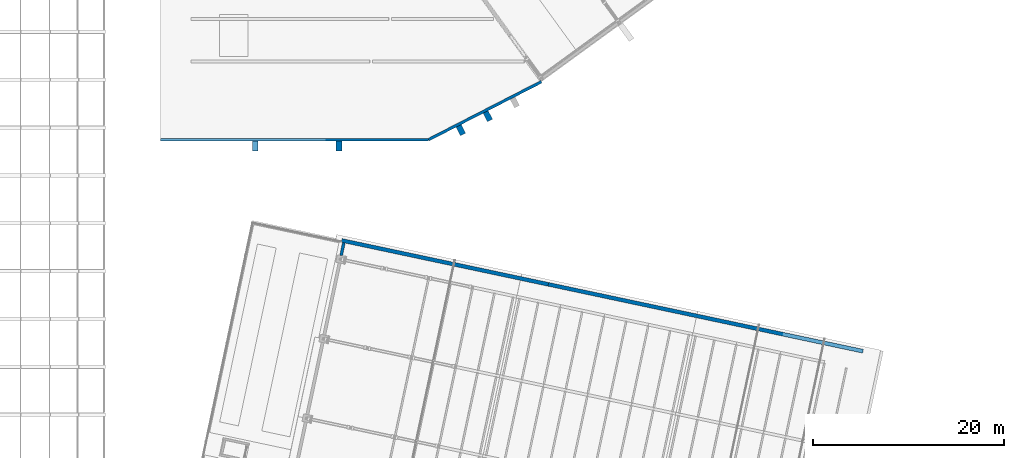
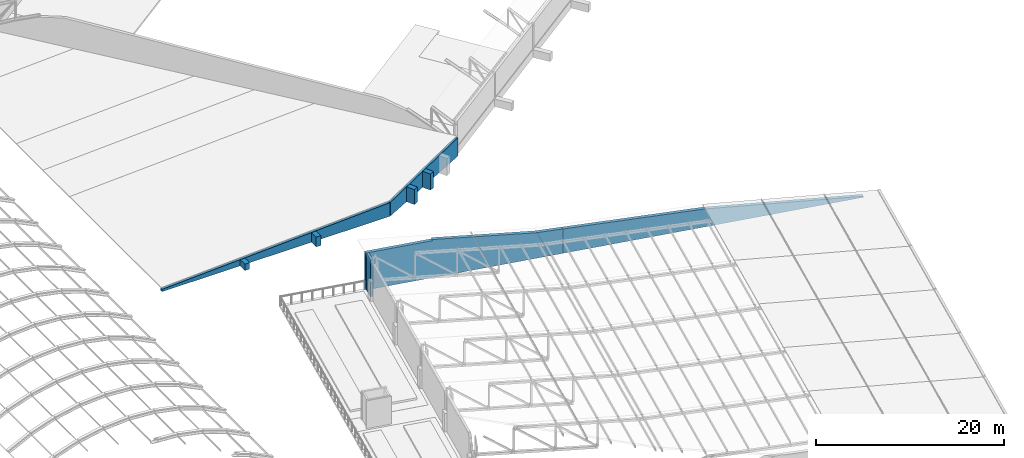
# One storey, part 128 of 196: 9 walls.
"""IFC4 building model written with IfcOpenShell, lengths in metres."""

from ifc_helpers import new_model, si_unit, direction, frame, frame_2d, origin, place, context, subcontext, project, spatial, polyline, rectangle, outline, extrude, material, layer, layer_set, type_object, element, save


model = new_model("IFC4")

# Units and contexts
model_context = context("Model", 3, precision=1e-05, world=origin(), true_north=direction((0.0, 1.0)))
body_context = subcontext(model_context, "Body", "Model", "MODEL_VIEW")
ifc_project = project(units=[si_unit("LENGTHUNIT", "METRE"), si_unit("AREAUNIT", "SQUARE_METRE"), si_unit("VOLUMEUNIT", "CUBIC_METRE"), si_unit("PLANEANGLEUNIT", "RADIAN"), si_unit("MASSUNIT", "GRAM", prefix="KILO")], contexts=[model_context])

# Site, building, storey
site_placement = place(None, origin())
site = spatial("IfcSite", under=ifc_project, at=site_placement, CompositionType="ELEMENT")
building_placement = place(site_placement, origin())
building = spatial("IfcBuilding", under=site, at=building_placement, Name="Okhra Congress Centre", CompositionType="ELEMENT")
storey_placement = place(building_placement, frame((0.0, 0.0, 12.0)))
storey = spatial("IfcBuildingStorey", under=building, at=storey_placement, Name="L02", CompositionType="ELEMENT", Elevation=12.0)

# Walls
ifc_material_1 = material(Name="Concrete C35/45", Category="concrete")
ifc_layer_1 = layer(ifc_material_1, 0.60009765625)
ifc_layer_set_1 = layer_set([ifc_layer_1], Name="Foyer wall fin 600 R 120 C35/45")
wall_type_1 = type_object("IfcWallType", Name="Foyer wall fin 600 R 120 C35/45", PredefinedType="SOLIDWALL", material=ifc_layer_set_1)
wall_1_placement = place(storey_placement, frame((199.89990234375, 149.580078125, 0.0), z_axis=(0.0, 0.0, 1.0), x_axis=(0.0, -1.0, 0.0)))
element("IfcWall", 1, at=wall_1_placement, inside=storey, type_object=wall_type_1, Name="Foyer wall fin 1 L02", PredefinedType="SOLIDWALL", context=body_context, shape_type="SweptSolid", body=[
    extrude(rectangle(XDim=1.0, YDim=0.60009765625, at=frame_2d((0.5, 0.0))), origin(), (0.0, 0.0, 1.0), 0.80908203125),
])
wall_2_placement = place(storey_placement, frame((208.64990234375, 149.580078125, 0.0), z_axis=(0.0, 0.0, 1.0), x_axis=(0.0, -1.0, 0.0)))
element("IfcWall", 2, at=wall_2_placement, inside=storey, type_object=wall_type_1, Name="Foyer wall fin 2 L02", PredefinedType="SOLIDWALL", context=body_context, shape_type="SweptSolid", body=[
    extrude(rectangle(XDim=1.0, YDim=0.60009765625, at=frame_2d((0.5, 0.0))), origin(), (0.0, 0.0, 1.0), 1.26708984375),
])
wall_3_placement = place(storey_placement, frame((221.144775390625, 151.1767578125, 0.0), z_axis=(0.0, 0.0, 1.0), x_axis=(0.456757693839, -0.889591147167, 0.0)))
element("IfcWall", 3, at=wall_3_placement, inside=storey, type_object=wall_type_1, Name="Prow wall fin 3 L02", PredefinedType="SOLIDWALL", context=body_context, shape_type="SweptSolid", body=[
    extrude(rectangle(XDim=1.0, YDim=0.60009765625, at=frame_2d((0.5, 0.0))), origin(), (0.0, 0.0, 1.0), 1.93505859375),
])
wall_4_placement = place(storey_placement, frame((223.96630859375, 152.626220703125, 0.0), z_axis=(0.0, 0.0, 1.0), x_axis=(0.456950855239, -0.88949194257, 0.0)))
element("IfcWall", 4, at=wall_4_placement, inside=storey, type_object=wall_type_1, Name="Prow wall fin 4 L02", PredefinedType="SOLIDWALL", context=body_context, shape_type="SweptSolid", body=[
    extrude(rectangle(XDim=1.000244140625, YDim=0.60009765625, at=frame_2d((0.5, 0.0))), origin(), (0.0, 0.0, 1.0), 2.0830078125),
])
ifc_material_2 = material(Name="Insulated metal sandwich panel (mineral wool core)")
ifc_layer_2 = layer(ifc_material_2, 0.300048828125)
ifc_layer_set_2 = layer_set([ifc_layer_2], Name="Insulated wall panel 300")
wall_type_2 = type_object("IfcWallType", Name="Insulated wall panel 300", PredefinedType="SOLIDWALL", material=ifc_layer_set_2)
wall_5_placement = place(storey_placement, frame((190.0, 149.72998046875, 0.0), z_axis=(0.0, 0.0, 1.0), x_axis=(1.0, 0.0, 0.0)))
element("IfcWall", 5, at=wall_5_placement, inside=storey, type_object=wall_type_2, Name="Foyer south gable wall", PredefinedType="SOLIDWALL", context=body_context, shape_type="SweptSolid", body=[
    extrude(outline(polyline([(0.0, 0.0), (28.0, 0.0), (28.0, 1.765380859375), (0.0, 0.298095703125), (0.0, 0.0)])), frame((0.0, 0.14990234375, 0.0), z_axis=(0.0, -1.0, 0.0), x_axis=(1.0, 0.0, 0.0)), (0.0, 0.0, 1.0), 0.300048828125),
])
wall_6_placement = place(storey_placement, frame((218.0, 149.72998046875, 0.0), z_axis=(0.0, 0.0, 1.0), x_axis=(0.889510193678, 0.456915326228, 0.0)))
element("IfcWall", 6, at=wall_6_placement, inside=storey, type_object=wall_type_2, Name="Foyer chamfer gable wall", PredefinedType="SOLIDWALL", context=body_context, shape_type="SweptSolid", body=[
    extrude(outline(polyline([(0.0, 0.0), (13.2607421875, 0.0), (13.2607421875, 2.383544921875), (0.0, 1.765380859375), (0.0, 0.0)])), frame((0.0, 0.14990234375, 0.0), z_axis=(0.0, -1.0, 0.0), x_axis=(1.0, 0.0, 0.0)), (0.0, 0.0, 1.0), 0.300048828125),
])
ifc_layer_3 = layer(ifc_material_2, 0.39990234375)
ifc_layer_set_3 = layer_set([ifc_layer_3], Name="Insulated wall panel 400")
wall_type_3 = type_object("IfcWallType", Name="Insulated wall panel 400", PredefinedType="SOLIDWALL", material=ifc_layer_set_3)
wall_7_placement = place(storey_placement, frame((208.92724609375, 139.208984375, 0.0), z_axis=(0.0, 0.0, 1.0), x_axis=(0.978147350686, -0.207912867197, 0.0)))
element("IfcWall", 7, at=wall_7_placement, inside=storey, type_object=wall_type_3, Name="Ballroom north-west wall L02", PredefinedType="SOLIDWALL", context=body_context, shape_type="SweptSolid", body=[
    extrude(outline(polyline([(0.0, 0.0), (22.06982421875, 0.0), (22.070068359375, 3.16650390625), (19.070068359375, 3.323486328125), (7.498779296875, 4.949951171875), (7.497802734375, 4.800048828125), (0.0, 4.800048828125), (0.0, 0.0)])), frame((0.0, 0.199951171875, 0.0), z_axis=(0.0, -1.0, 0.0), x_axis=(1.0, 0.0, 0.0)), (0.0, 0.0, 1.0), 0.39990234375),
])
wall_8_placement = place(storey_placement, frame((230.514892578125, 134.620361328125, 0.0), z_axis=(0.0, 0.0, 1.0), x_axis=(0.978148016962, -0.207909732606, 0.0)))
element("IfcWall", 8, at=wall_8_placement, inside=storey, type_object=wall_type_3, Name="Ballroom north-east wall L02", PredefinedType="SOLIDWALL", context=body_context, shape_type="SweptSolid", body=[
    extrude(outline(polyline([(0.0, 0.0), (33.62255859375, 0.0), (33.622802734375, 0.14990234375), (15.800048828125, 2.33837890625), (0.0, 3.16650390625), (0.0, 0.0)])), frame((0.0, 0.199951171875, 0.0), z_axis=(0.0, -1.0, 0.0), x_axis=(1.0, 0.0, 0.0)), (0.0, 0.0, 1.0), 0.39990234375),
])
ifc_material_3 = material(Name="Concrete C30/37", Category="concrete")
ifc_layer_4 = layer(ifc_material_3, 0.300048828125)
ifc_layer_set_4 = layer_set([ifc_layer_4], Name="RC partition wall 300 C30/37")
wall_type_4 = type_object("IfcWallType", Name="RC partition wall 300 C30/37", PredefinedType="SOLIDWALL", material=ifc_layer_set_4)
wall_9_placement = place(storey_placement, frame((208.869140625, 137.63671875, 0.0), z_axis=(0.0, 0.0, 1.0), x_axis=(0.207960405185, 0.978137244908, 0.0)))
element("IfcWall", 9, at=wall_9_placement, inside=storey, type_object=wall_type_4, Name="Hall and foyer partition wall", PredefinedType="SOLIDWALL", context=body_context, shape_type="SweptSolid", body=[
    extrude(rectangle(XDim=1.35009765625, YDim=0.300048828125, at=frame_2d((0.675048828125, 0.0))), origin(), (0.0, 0.0, 1.0), 4.800048828125),
])

save(model, "model.ifc")
